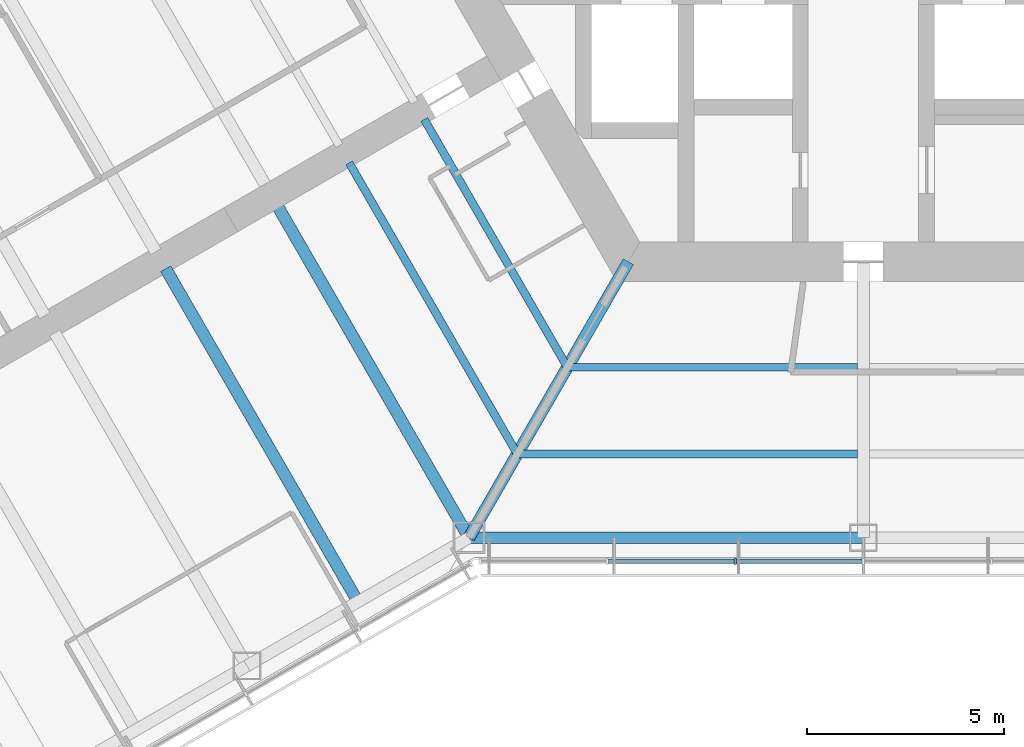
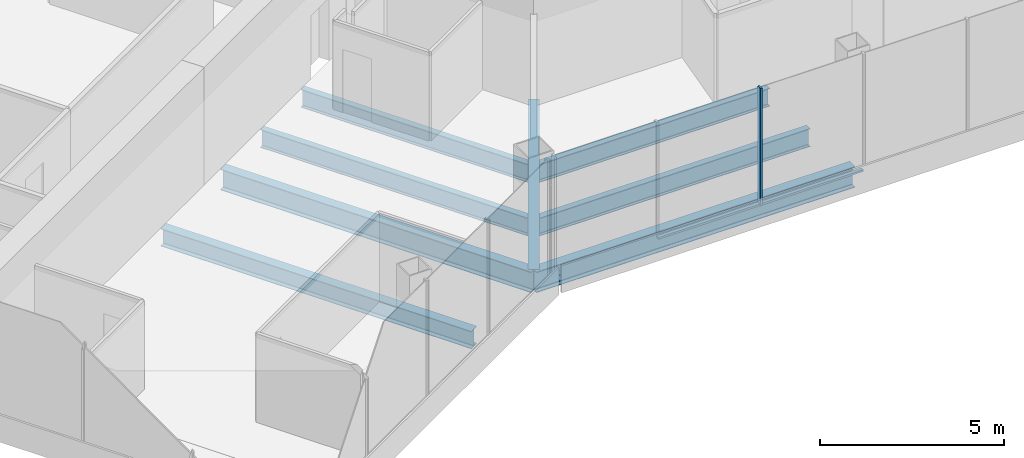
# One storey, part 3 of 18: 8 beams, 3 members, 1 element without a shape of its own.
"""IFC4 building model written with IfcOpenShell, lengths in metres."""

from ifc_helpers import new_model, si_unit, direction, frame, origin, origin_2d, place, context, subcontext, project, spatial, rectangle, i_section, extrude, material, material_profile, profile_set, type_object, element, aggregate, save


model = new_model("IFC4")

# Units and contexts
model_context = context("Model", 3, precision=1e-05, world=origin(), true_north=direction((0.0, 1.0)))
body_context = subcontext(model_context, "Body", "Model", "MODEL_VIEW")
ifc_project = project(units=[si_unit("LENGTHUNIT", "METRE"), si_unit("AREAUNIT", "SQUARE_METRE"), si_unit("VOLUMEUNIT", "CUBIC_METRE"), si_unit("PLANEANGLEUNIT", "RADIAN"), si_unit("MASSUNIT", "GRAM", prefix="KILO")], contexts=[model_context])

# Site, building, storey
site_placement = place(None, origin())
site = spatial("IfcSite", under=ifc_project, at=site_placement, CompositionType="ELEMENT")
building_placement = place(site_placement, origin())
building = spatial("IfcBuilding", under=site, at=building_placement, Name="Kasaneha Research Tower", CompositionType="ELEMENT")
storey_placement = place(building_placement, frame((0.0, 0.0, 152.60009765625)))
storey = spatial("IfcBuildingStorey", under=building, at=storey_placement, Name="L38", CompositionType="ELEMENT", Elevation=152.60009765625)

# Beams
ifc_material_1 = material(Name="Steel SN490B", Category="steel")
ifc_material_profile_1 = material_profile(ifc_material_1, i_section(OverallWidth=0.199951171875, OverallDepth=0.60009765625, WebThickness=0.010986328125, FlangeThickness=0.01708984375, FilletRadius=0.012939453125, at=origin_2d()), Name="H-600x200x11x17")
ifc_profile_set_1 = profile_set([ifc_material_profile_1], Name="Steel SN490B")
beam_type_1 = type_object("IfcBeamType", Name="B1-3 secondary beam H-600x200x11x17", PredefinedType="JOIST", material=ifc_profile_set_1)
beam_1_placement = place(storey_placement, frame((-7.505615234375, -13.0, -0.4501953125), z_axis=(-0.499993340521, 0.866029248602, 0.0), x_axis=(-0.866029248602, -0.499993340521, 0.0)))
element("IfcBeam", 1, at=beam_1_placement, inside=storey, type_object=beam_type_1, Name="Secondary beam RS210R1 L38", PredefinedType="JOIST", context=body_context, shape_type="SweptSolid", body=[
    extrude(i_section(OverallWidth=0.199951171875, OverallDepth=0.60009765625, WebThickness=0.010986328125, FlangeThickness=0.01708984375, FilletRadius=0.012939453125, at=origin_2d()), origin(), (0.0, 0.0, 1.0), 7.25537109375),
])
beam_2_placement = place(storey_placement, frame((-8.775634765625, -15.199951171875, -0.4501953125), z_axis=(-0.500004205306, 0.866022975836, 0.0), x_axis=(-0.866022975836, -0.500004205306, 0.0)))
element("IfcBeam", 2, at=beam_2_placement, inside=storey, type_object=beam_type_1, Name="Secondary beam RS210R2 L38", PredefinedType="JOIST", context=body_context, shape_type="SweptSolid", body=[
    extrude(i_section(OverallWidth=0.199951171875, OverallDepth=0.60009765625, WebThickness=0.010986328125, FlangeThickness=0.01708984375, FilletRadius=0.012939453125, at=origin_2d()), origin(), (0.0, 0.0, 1.0), 8.52587890625),
])
beam_3_placement = place(storey_placement, frame((-7.505615234375, -13.0, -0.4501953125), z_axis=(1.0, 0.0, 0.0), x_axis=(0.0, 1.0, 0.0)))
element("IfcBeam", 3, at=beam_3_placement, inside=storey, type_object=beam_type_1, Name="Secondary beam RS270L1 L38", PredefinedType="JOIST", context=body_context, shape_type="SweptSolid", body=[
    extrude(i_section(OverallWidth=0.199951171875, OverallDepth=0.60009765625, WebThickness=0.010986328125, FlangeThickness=0.01708984375, FilletRadius=0.012939453125, at=origin_2d()), origin(), (0.0, 0.0, 1.0), 7.355712890625),
])
beam_4_placement = place(storey_placement, frame((-8.775634765625, -15.199951171875, -0.4501953125), z_axis=(1.0, 0.0, 0.0), x_axis=(0.0, 1.0, 0.0)))
element("IfcBeam", 4, at=beam_4_placement, inside=storey, type_object=beam_type_1, Name="Secondary beam RS270L2 L38", PredefinedType="JOIST", context=body_context, shape_type="SweptSolid", body=[
    extrude(i_section(OverallWidth=0.199951171875, OverallDepth=0.60009765625, WebThickness=0.010986328125, FlangeThickness=0.01708984375, FilletRadius=0.012939453125, at=origin_2d()), origin(), (0.0, 0.0, 1.0), 8.625732421875),
])
ifc_material_2 = material(Name="Steel SN490B", Category="steel")
ifc_material_profile_2 = material_profile(ifc_material_2, i_section(OverallWidth=0.300048828125, OverallDepth=0.58203125, WebThickness=0.011962890625, FlangeThickness=0.01708984375, FilletRadius=0.012939453125, at=origin_2d()), Name="H-582x300x12x17")
ifc_profile_set_2 = profile_set([ifc_material_profile_2], Name="Steel SN490B")
beam_type_2 = type_object("IfcBeamType", Name="B2-3 secondary beam H-582x300x12x17", PredefinedType="JOIST", material=ifc_profile_set_2)
beam_5_placement = place(storey_placement, frame((-12.814697265625, -18.945556640625, -0.441162109375), z_axis=(-0.499995560238, 0.866027967067, 0.0), x_axis=(-0.866027967067, -0.499995560238, 0.0)))
element("IfcBeam", 5, at=beam_5_placement, inside=storey, type_object=beam_type_2, Name="Secondary beam WBBN1 L38", PredefinedType="JOIST", context=body_context, shape_type="SweptSolid", body=[
    extrude(i_section(OverallWidth=0.300048828125, OverallDepth=0.58203125, WebThickness=0.011962890625, FlangeThickness=0.01708984375, FilletRadius=0.012939453125, at=origin_2d()), origin(), (0.0, 0.0, 1.0), 9.75),
])

# Curtain wall, members
ifc_material_3 = material(Name="Glass and aluminium", Category="aluminium")
curtain_wall_type = type_object("IfcCurtainWallType", Name="Mid-rise office curtain wall", PredefinedType="USERDEFINED", material=ifc_material_3)
curtain_wall_placement = place(storey_placement, origin())
curtain_wall = element("IfcCurtainWall", 6, at=curtain_wall_placement, inside=storey, type_object=curtain_wall_type, Name="CW-O2 L38 run 01a", ObjectType="UNITISED CURTAIN WALL", PredefinedType="USERDEFINED")
ifc_material_4 = material(Name="Aluminium 6063-T6", Category="aluminium")
ifc_material_profile_3 = material_profile(ifc_material_4, rectangle(XDim=0.06005859375, YDim=0.14990234375, at=origin_2d()), Name="CW-O2 mullion 60x150")
ifc_profile_set_3 = profile_set([ifc_material_profile_3], Name="Aluminium 6063-T6")
member_type_1 = type_object("IfcMemberType", Name="CW-O2 mullion", PredefinedType="MULLION", material=ifc_profile_set_3)
member_1_placement = place(storey_placement, frame((-3.246337890625, -17.92041015625, 0.0), z_axis=(0.0, 0.0, 1.0), x_axis=(1.0, 0.0, 0.0)))
member_1 = element("IfcMember", 7, at=member_1_placement, type_object=member_type_1, Name="CW-O2 mullion 3", PredefinedType="MULLION", context=body_context, shape_type="SweptSolid", body=[
    extrude(rectangle(XDim=0.06005859375, YDim=0.14990234375, at=origin_2d()), origin(), (0.0, 0.0, 1.0), 3.89990234375),
])
ifc_material_5 = material(Name="Aluminium 6063-T6", Category="aluminium")
ifc_material_profile_4 = material_profile(ifc_material_5, rectangle(XDim=0.110107421875, YDim=0.06005859375, at=origin_2d()), Name="CW-O2 transom 110x60")
ifc_profile_set_4 = profile_set([ifc_material_profile_4], Name="Aluminium 6063-T6")
member_type_2 = type_object("IfcMemberType", Name="CW-O2 transom", PredefinedType="USERDEFINED", material=ifc_profile_set_4)
member_2_placement = place(storey_placement, frame((-6.462890625, -17.92041015625, 0.02978515625), z_axis=(1.0, 0.0, 0.0), x_axis=(0.0, 1.0, 0.0)))
member_2 = element("IfcMember", 8, at=member_2_placement, type_object=member_type_2, Name="CW-O2 transom 2", ObjectType="TRANSOM", PredefinedType="USERDEFINED", context=body_context, shape_type="SweptSolid", body=[
    extrude(rectangle(XDim=0.110107421875, YDim=0.06005859375, at=origin_2d()), origin(), (0.0, 0.0, 1.0), 3.1865234375),
])
member_3_placement = place(storey_placement, frame((-3.21630859375, -17.92041015625, 0.02978515625), z_axis=(1.0, 0.0, 0.0), x_axis=(0.0, 1.0, 0.0)))
member_3 = element("IfcMember", 9, at=member_3_placement, type_object=member_type_2, Name="CW-O2 transom 3", ObjectType="TRANSOM", PredefinedType="USERDEFINED", context=body_context, shape_type="SweptSolid", body=[
    extrude(rectangle(XDim=0.110107421875, YDim=0.06005859375, at=origin_2d()), origin(), (0.0, 0.0, 1.0), 3.186279296875),
])
aggregate(curtain_wall, [member_1, member_2, member_3])

# Beams
ifc_material_6 = material(Name="Steel SN490B", Category="steel")
ifc_material_profile_5 = material_profile(ifc_material_6, i_section(OverallWidth=0.300048828125, OverallDepth=0.699951171875, WebThickness=0.012939453125, FlangeThickness=0.02392578125, FilletRadius=0.01806640625, at=origin_2d()), Name="H-700x300x13x24")
ifc_profile_set_5 = profile_set([ifc_material_profile_5], Name="Steel SN490B")
beam_type_3 = type_object("IfcBeamType", Name="G1-3 radial girder H-700x300x13x24", PredefinedType="BEAM", material=ifc_profile_set_5)
beam_6_placement = place(storey_placement, frame((-5.961181640625, -10.324951171875, -0.5), z_axis=(-0.49999105496, -0.866030568144, 0.0), x_axis=(0.866030568144, -0.49999105496, 0.0)))
element("IfcBeam", 10, at=beam_6_placement, inside=storey, type_object=beam_type_3, Name="Radial girder RV240 L38", PredefinedType="BEAM", context=body_context, shape_type="SweptSolid", body=[
    extrude(i_section(OverallWidth=0.300048828125, OverallDepth=0.699951171875, WebThickness=0.012939453125, FlangeThickness=0.02392578125, FilletRadius=0.01806640625, at=origin_2d()), origin(), (0.0, 0.0, 1.0), 8.077880859375),
])
ifc_material_7 = material(Name="Steel SN490B", Category="steel")
ifc_material_profile_6 = material_profile(ifc_material_7, i_section(OverallWidth=0.300048828125, OverallDepth=0.69189453125, WebThickness=0.012939453125, FlangeThickness=0.02001953125, FilletRadius=0.01806640625, at=origin_2d()), Name="H-692x300x13x20")
ifc_profile_set_6 = profile_set([ifc_material_profile_6], Name="Steel SN490B")
beam_type_4 = type_object("IfcBeamType", Name="G3-3 plate edge girder H-692x300x13x20", PredefinedType="BEAM", material=ifc_profile_set_6)
beam_7_placement = place(storey_placement, frame((-10.0, -17.320556640625, -0.49609375), z_axis=(-0.499995560238, 0.866027967067, 0.0), x_axis=(-0.866027967067, -0.499995560238, 0.0)))
element("IfcBeam", 11, at=beam_7_placement, inside=storey, type_object=beam_type_4, Name="Plate edge girder PEBN L38", PredefinedType="BEAM", context=body_context, shape_type="SweptSolid", body=[
    extrude(i_section(OverallWidth=0.300048828125, OverallDepth=0.69189453125, WebThickness=0.012939453125, FlangeThickness=0.02001953125, FilletRadius=0.01806640625, at=origin_2d()), origin(), (0.0, 0.0, 1.0), 9.75),
])
ifc_material_8 = material(Name="Steel SN490B", Category="steel")
ifc_material_profile_7 = material_profile(ifc_material_8, i_section(OverallWidth=0.300048828125, OverallDepth=0.69189453125, WebThickness=0.012939453125, FlangeThickness=0.02001953125, FilletRadius=0.01806640625, at=origin_2d()), Name="H-692x300x13x20")
ifc_profile_set_7 = profile_set([ifc_material_profile_7], Name="Steel SN490B")
beam_type_5 = type_object("IfcBeamType", Name="SB1-3 spandrel beam H-692x300x13x20", PredefinedType="SPANDREL", material=ifc_profile_set_7)
beam_8_placement = place(storey_placement, frame((-10.0, -17.320556640625, -0.49609375), z_axis=(1.0, 0.0, 0.0), x_axis=(0.0, 1.0, 0.0)))
element("IfcBeam", 12, at=beam_8_placement, inside=storey, type_object=beam_type_5, Name="Spandrel beam SR270L L38", PredefinedType="SPANDREL", context=body_context, shape_type="SweptSolid", body=[
    extrude(i_section(OverallWidth=0.300048828125, OverallDepth=0.69189453125, WebThickness=0.012939453125, FlangeThickness=0.02001953125, FilletRadius=0.01806640625, at=origin_2d()), origin(), (0.0, 0.0, 1.0), 10.0),
])

save(model, "model.ifc")
